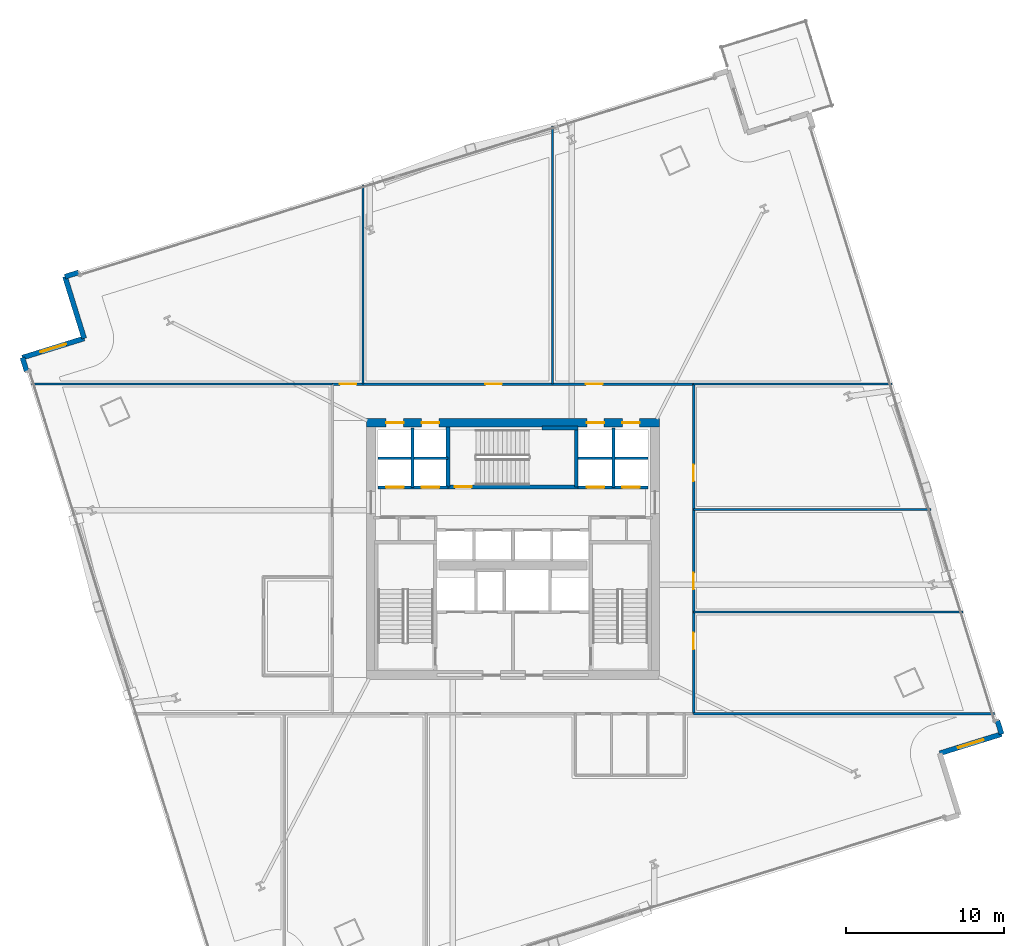
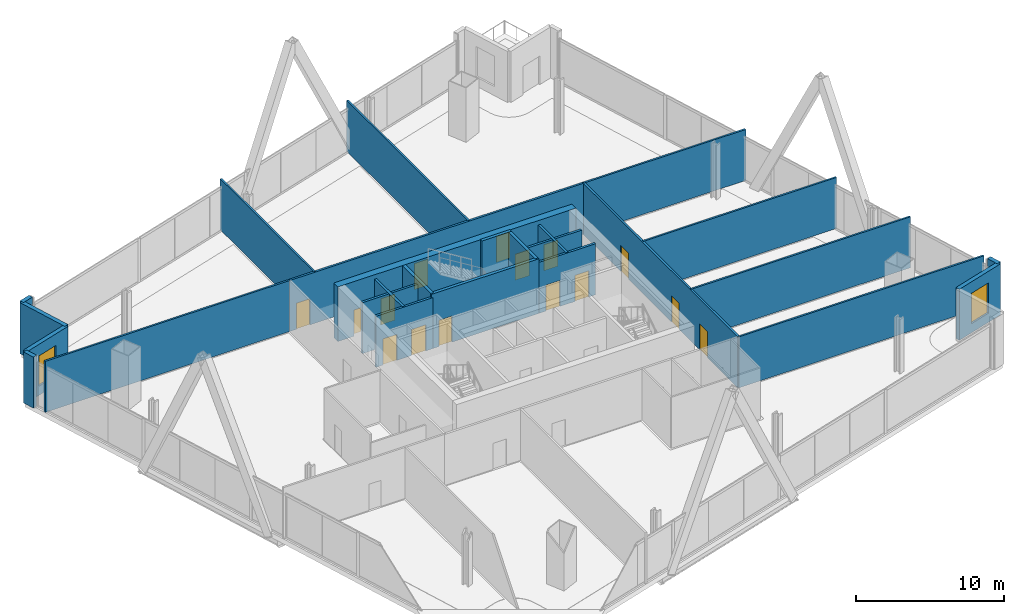
# One storey, part 18 of 26: 26 walls, 15 doors, 2 windows, 17 openings.
"""IFC4 building model written with IfcOpenShell, lengths in metres."""

from ifc_helpers import new_model, si_unit, direction, frame, frame_2d, origin, place, context, subcontext, project, spatial, rectangle, extrude, material, layer, layer_set, type_object, element, fill, save


model = new_model("IFC4")

# Units and contexts
model_context = context("Model", 3, precision=1e-05, world=origin(), true_north=direction((0.0, 1.0)))
body_context = subcontext(model_context, "Body", "Model", "MODEL_VIEW")
ifc_project = project(units=[si_unit("LENGTHUNIT", "METRE"), si_unit("AREAUNIT", "SQUARE_METRE"), si_unit("VOLUMEUNIT", "CUBIC_METRE"), si_unit("PLANEANGLEUNIT", "RADIAN"), si_unit("MASSUNIT", "GRAM", prefix="KILO")], contexts=[model_context])

# Site, building, storey
site_placement = place(None, origin())
site = spatial("IfcSite", under=ifc_project, at=site_placement, CompositionType="ELEMENT")
building_placement = place(site_placement, origin())
building = spatial("IfcBuilding", under=site, at=building_placement, Name="Haldenkirk Collegiate Tower", CompositionType="ELEMENT")
storey_placement = place(building_placement, frame((0.0, 0.0, 85.949951171875)))
storey = spatial("IfcBuildingStorey", under=building, at=storey_placement, Name="L20", CompositionType="ELEMENT", Elevation=85.949951171875)

# Wall, openings, doors
ifc_material_1 = material(Name="Concrete f'c 70 MPa", Category="concrete")
ifc_layer_1 = layer(ifc_material_1, 0.550048828125)
ifc_layer_set_1 = layer_set([ifc_layer_1], Name="Concrete f'c 70 MPa")
wall_type_1 = type_object("IfcWallType", Name="WL-CORE-550", PredefinedType="SHEAR", material=ifc_layer_set_1)
wall_1_placement = place(storey_placement, frame((26.72509765625, 34.0, 0.0), z_axis=(0.0, 0.0, 1.0), x_axis=(1.0, 0.0, 0.0)))
wall_1 = element("IfcWall", 1, at=wall_1_placement, inside=storey, type_object=wall_type_1, Name="L20 central core shear wall N", PredefinedType="SHEAR", context=body_context, shape_type="SweptSolid", body=[
    extrude(rectangle(XDim=18.5498046875, YDim=0.550048828125, at=frame_2d((9.27490234375, 0.0))), origin(), (0.0, 0.0, 1.0), 4.5),
])
opening_1_placement = place(wall_1_placement, frame((1.239990234375, 0.0, 0.0)))
opening_1 = element("IfcOpeningElement", 2, at=opening_1_placement, cuts=wall_1, Name="Opening LD-11", PredefinedType="OPENING", context=body_context, shape_type="SweptSolid", body=[
    extrude(rectangle(XDim=1.10009765625, YDim=2.14990234375, at=frame_2d((0.550048828125, 1.074951171875))), frame((0.0, 0.284912109375, 0.0), z_axis=(0.0, -1.0, 0.0), x_axis=(1.0, 0.0, 0.0)), (0.0, 0.0, 1.0), 0.570068359375),
])
opening_2_placement = place(wall_1_placement, frame((3.489990234375, 0.0, 0.0)))
opening_2 = element("IfcOpeningElement", 3, at=opening_2_placement, cuts=wall_1, Name="Opening LD-11", PredefinedType="OPENING", context=body_context, shape_type="SweptSolid", body=[
    extrude(rectangle(XDim=1.10009765625, YDim=2.14990234375, at=frame_2d((0.550048828125, 1.074951171875))), frame((0.0, 0.284912109375, 0.0), z_axis=(0.0, -1.0, 0.0), x_axis=(1.0, 0.0, 0.0)), (0.0, 0.0, 1.0), 0.570068359375),
])
opening_3_placement = place(wall_1_placement, frame((13.9599609375, 0.0, 0.0)))
opening_3 = element("IfcOpeningElement", 4, at=opening_3_placement, cuts=wall_1, Name="Opening LD-11", PredefinedType="OPENING", context=body_context, shape_type="SweptSolid", body=[
    extrude(rectangle(XDim=1.10009765625, YDim=2.14990234375, at=frame_2d((0.550048828125, 1.074951171875))), frame((0.0, 0.284912109375, 0.0), z_axis=(0.0, -1.0, 0.0), x_axis=(1.0, 0.0, 0.0)), (0.0, 0.0, 1.0), 0.570068359375),
])
opening_4_placement = place(wall_1_placement, frame((16.2099609375, 0.0, 0.0)))
opening_4 = element("IfcOpeningElement", 5, at=opening_4_placement, cuts=wall_1, Name="Opening LD-11", PredefinedType="OPENING", context=body_context, shape_type="SweptSolid", body=[
    extrude(rectangle(XDim=1.10009765625, YDim=2.14990234375, at=frame_2d((0.550048828125, 1.074951171875))), frame((0.0, 0.284912109375, 0.0), z_axis=(0.0, -1.0, 0.0), x_axis=(1.0, 0.0, 0.0)), (0.0, 0.0, 1.0), 0.570068359375),
])
ifc_material_2 = material(Name="Brushed architectural stainless steel", Category="steel")
ifc_layer_2 = layer(ifc_material_2, 0.06005859375)
ifc_layer_set_2 = layer_set([ifc_layer_2], Name="Brushed architectural stainless steel")
door_type_1 = type_object("IfcDoorType", Name="LD-PASS-1100", OperationType="NOTDEFINED", PredefinedType="DOOR", material=ifc_layer_set_2)
door_1_placement = place(opening_1_placement, origin())
door_1 = element("IfcDoor", 6, at=door_1_placement, inside=storey, type_object=door_type_1, Name="L20 Elevator PL3 sliding landing door", OperationType="SLIDING_TO_LEFT", OverallHeight=2.14990234375, OverallWidth=1.10009765625, PredefinedType="DOOR", context=body_context, shape_type="SweptSolid", body=[
    extrude(rectangle(XDim=1.10009765625, YDim=2.14990234375, at=frame_2d((0.550048828125, 1.074951171875))), frame((0.0, 0.02490234375, 0.0), z_axis=(0.0, -1.0, 0.0), x_axis=(1.0, 0.0, 0.0)), (0.0, 0.0, 1.0), 0.050048828125),
])
fill(opening_1, door_1)
door_2_placement = place(opening_2_placement, origin())
door_2 = element("IfcDoor", 7, at=door_2_placement, inside=storey, type_object=door_type_1, Name="L20 Elevator PL4 sliding landing door", OperationType="SLIDING_TO_LEFT", OverallHeight=2.14990234375, OverallWidth=1.10009765625, PredefinedType="DOOR", context=body_context, shape_type="SweptSolid", body=[
    extrude(rectangle(XDim=1.10009765625, YDim=2.14990234375, at=frame_2d((0.550048828125, 1.074951171875))), frame((0.0, 0.02490234375, 0.0), z_axis=(0.0, -1.0, 0.0), x_axis=(1.0, 0.0, 0.0)), (0.0, 0.0, 1.0), 0.050048828125),
])
fill(opening_2, door_2)
door_3_placement = place(opening_3_placement, origin())
door_3 = element("IfcDoor", 8, at=door_3_placement, inside=storey, type_object=door_type_1, Name="L20 Elevator PM3 sliding landing door", OperationType="SLIDING_TO_LEFT", OverallHeight=2.14990234375, OverallWidth=1.10009765625, PredefinedType="DOOR", context=body_context, shape_type="SweptSolid", body=[
    extrude(rectangle(XDim=1.10009765625, YDim=2.14990234375, at=frame_2d((0.550048828125, 1.074951171875))), frame((0.0, 0.02490234375, 0.0), z_axis=(0.0, -1.0, 0.0), x_axis=(1.0, 0.0, 0.0)), (0.0, 0.0, 1.0), 0.050048828125),
])
fill(opening_3, door_3)
door_4_placement = place(opening_4_placement, origin())
door_4 = element("IfcDoor", 9, at=door_4_placement, inside=storey, type_object=door_type_1, Name="L20 Elevator PM4 sliding landing door", OperationType="SLIDING_TO_LEFT", OverallHeight=2.14990234375, OverallWidth=1.10009765625, PredefinedType="DOOR", context=body_context, shape_type="SweptSolid", body=[
    extrude(rectangle(XDim=1.10009765625, YDim=2.14990234375, at=frame_2d((0.550048828125, 1.074951171875))), frame((0.0, 0.02490234375, 0.0), z_axis=(0.0, -1.0, 0.0), x_axis=(1.0, 0.0, 0.0)), (0.0, 0.0, 1.0), 0.050048828125),
])
fill(opening_4, door_4)

# Wall, opening, window
ifc_material_3 = material(Name="Precast concrete f'c 40 MPa", Category="concrete")
ifc_layer_3 = layer(ifc_material_3, 0.320068359375)
ifc_layer_set_3 = layer_set([ifc_layer_3], Name="Precast concrete f'c 40 MPa")
wall_type_2 = type_object("IfcWallType", Name="WL-EXT-TWR-320", PredefinedType="STANDARD", material=ifc_layer_set_3)
wall_2_placement = place(storey_placement, frame((66.9755859375, 14.25732421875, 0.0), z_axis=(0.0, 0.0, 1.0), x_axis=(-0.955024023145, -0.296528439134, 0.0)))
wall_2 = element("IfcWall", 10, at=wall_2_placement, inside=storey, type_object=wall_type_2, Name="L20 bronze precast notch wall 03", PredefinedType="STANDARD", context=body_context, shape_type="SweptSolid", body=[
    extrude(rectangle(XDim=4.10009765625, YDim=0.320068359375, at=frame_2d((2.050048828125, 0.0))), origin(), (0.0, 0.0, 1.0), 4.199951171875),
])
opening_5_placement = place(wall_2_placement, frame((1.199951171875, 0.0, 0.75)))
opening_5 = element("IfcOpeningElement", 11, at=opening_5_placement, cuts=wall_2, Name="Opening W-09", PredefinedType="OPENING", context=body_context, shape_type="SweptSolid", body=[
    extrude(rectangle(XDim=1.699951171875, YDim=2.5, at=frame_2d((0.85009765625, 1.25))), frame((0.0, 0.169921875, 0.0), z_axis=(0.0, -1.0, 0.0), x_axis=(1.0, 0.0, 0.0)), (0.0, 0.0, 1.0), 0.340087890625),
])
ifc_material_4 = material(Name="Low-E argon triple insulating glass", Category="glass")
ifc_layer_4 = layer(ifc_material_4, 0.090087890625)
ifc_layer_set_4 = layer_set([ifc_layer_4], Name="Low-E argon triple insulating glass")
window_type = type_object("IfcWindowType", Name="WN-SG-1700X2500", PartitioningType="SINGLE_PANEL", PredefinedType="WINDOW", material=ifc_layer_set_4)
window_1_placement = place(opening_5_placement, origin())
window_1 = element("IfcWindow", 12, at=window_1_placement, inside=storey, type_object=window_type, Name="L20 precast-frame academic window 2", OverallHeight=2.5, OverallWidth=1.699951171875, PartitioningType="SINGLE_PANEL", PredefinedType="WINDOW", context=body_context, shape_type="SweptSolid", body=[
    extrude(rectangle(XDim=1.699951171875, YDim=2.5, at=frame_2d((0.85009765625, 1.25))), frame((0.0, 0.030029296875, 0.0), z_axis=(0.0, -1.0, 0.0), x_axis=(1.0, 0.0, 0.0)), (0.0, 0.0, 1.0), 0.06005859375),
])
fill(opening_5, window_1)

# Walls
for number, where, z_axis, x_axis, name in (
    (13, (66.70849609375, 15.11669921875, 0.0), (0.0, 0.0, 1.0), (0.296791707634, -0.954942240285, 0.0), "L20 precast corner pier ER"),
    (14, (7.605712890625, 43.256103515625, 0.0), (0.0, 0.0, 1.0), (0.955019103262, 0.296544284053, 0.0), "L20 precast corner pier NL"),
):
    element("IfcWall", number, at=place(storey_placement, frame(where, z_axis=z_axis, x_axis=x_axis)), inside=storey, type_object=wall_type_2, Name=name, PredefinedType="STANDARD", context=body_context, shape_type="SweptSolid", body=[
        extrude(rectangle(XDim=0.89990234375, YDim=0.320068359375, at=frame_2d((0.449951171875, 0.0))), origin(), (0.0, 0.0, 1.0), 4.199951171875),
    ])
wall_3_placement = place(storey_placement, frame((8.821533203125, 39.340576171875, 0.0), z_axis=(0.0, 0.0, 1.0), x_axis=(-0.296545302379, 0.95501878706, 0.0)))
element("IfcWall", 15, at=wall_3_placement, inside=storey, type_object=wall_type_2, Name="L20 bronze precast notch wall 08", PredefinedType="STANDARD", context=body_context, shape_type="SweptSolid", body=[
    extrude(rectangle(XDim=4.099853515625, YDim=0.320068359375, at=frame_2d((2.0498046875, 0.0))), origin(), (0.0, 0.0, 1.0), 4.199951171875),
])

# Wall, opening, window
wall_4_placement = place(storey_placement, frame((4.906005859375, 38.124755859375, 0.0), z_axis=(0.0, 0.0, 1.0), x_axis=(0.95501878706, 0.296545302379, 0.0)))
wall_4 = element("IfcWall", 16, at=wall_4_placement, inside=storey, type_object=wall_type_2, Name="L20 bronze precast notch wall 09", PredefinedType="STANDARD", context=body_context, shape_type="SweptSolid", body=[
    extrude(rectangle(XDim=4.099853515625, YDim=0.320068359375, at=frame_2d((2.0498046875, 0.0))), origin(), (0.0, 0.0, 1.0), 4.199951171875),
])
opening_6_placement = place(wall_4_placement, frame((1.199951171875, 0.0, 0.75)))
opening_6 = element("IfcOpeningElement", 17, at=opening_6_placement, cuts=wall_4, Name="Opening W-09", PredefinedType="OPENING", context=body_context, shape_type="SweptSolid", body=[
    extrude(rectangle(XDim=1.699951171875, YDim=2.5, at=frame_2d((0.85009765625, 1.25))), frame((0.0, 0.169921875, 0.0), z_axis=(0.0, -1.0, 0.0), x_axis=(1.0, 0.0, 0.0)), (0.0, 0.0, 1.0), 0.340087890625),
])
window_2_placement = place(opening_6_placement, origin())
window_2 = element("IfcWindow", 18, at=window_2_placement, inside=storey, type_object=window_type, Name="L20 precast-frame academic window 8", OverallHeight=2.5, OverallWidth=1.699951171875, PartitioningType="SINGLE_PANEL", PredefinedType="WINDOW", context=body_context, shape_type="SweptSolid", body=[
    extrude(rectangle(XDim=1.699951171875, YDim=2.5, at=frame_2d((0.85009765625, 1.25))), frame((0.0, 0.030029296875, 0.0), z_axis=(0.0, -1.0, 0.0), x_axis=(1.0, 0.0, 0.0)), (0.0, 0.0, 1.0), 0.06005859375),
])
fill(opening_6, window_2)

# Wall
wall_5_placement = place(storey_placement, frame((5.1728515625, 37.26513671875, 0.0), z_axis=(0.0, 0.0, 1.0), x_axis=(-0.296467465889, 0.955042952788, 0.0)))
element("IfcWall", 19, at=wall_5_placement, inside=storey, type_object=wall_type_2, Name="L20 precast corner pier WR", PredefinedType="STANDARD", context=body_context, shape_type="SweptSolid", body=[
    extrude(rectangle(XDim=0.900146484375, YDim=0.320068359375, at=frame_2d((0.4501953125, 0.0))), origin(), (0.0, 0.0, 1.0), 4.199951171875),
])

# Wall, openings, doors
ifc_material_5 = material(Name="Acoustic fire-rated gypsum partition", Category="concrete")
ifc_layer_5 = layer(ifc_material_5, 0.159912109375)
ifc_layer_set_5 = layer_set([ifc_layer_5], Name="Acoustic fire-rated gypsum partition")
wall_type_3 = type_object("IfcWallType", Name="WL-INT-CORR-160", PredefinedType="PARTITIONING", material=ifc_layer_set_5)
wall_6_placement = place(storey_placement, frame((24.5, 36.449951171875, 0.0), z_axis=(0.0, 0.0, 1.0), x_axis=(1.0, 0.0, 0.0)))
wall_6 = element("IfcWall", 20, at=wall_6_placement, inside=storey, type_object=wall_type_3, Name="L20 interior partition IW-L20-CN", PredefinedType="PARTITIONING", context=body_context, shape_type="SweptSolid", body=[
    extrude(rectangle(XDim=23.0, YDim=0.159912109375, at=frame_2d((11.5, 0.0))), origin(), (0.0, 0.0, 1.0), 4.199951171875),
])
opening_7_placement = place(wall_6_placement, frame((0.530029296875, 0.0, 0.0)))
opening_7 = element("IfcOpeningElement", 21, at=opening_7_placement, cuts=wall_6, Name="Opening D-09", PredefinedType="OPENING", context=body_context, shape_type="SweptSolid", body=[
    extrude(rectangle(XDim=1.050048828125, YDim=2.14990234375, at=frame_2d((0.52490234375, 1.074951171875))), frame((0.0, 0.08984375, 0.0), z_axis=(0.0, -1.0, 0.0), x_axis=(1.0, 0.0, 0.0)), (0.0, 0.0, 1.0), 0.179931640625),
])
opening_8_placement = place(wall_6_placement, frame((9.7548828125, 0.0, 0.0)))
opening_8 = element("IfcOpeningElement", 22, at=opening_8_placement, cuts=wall_6, Name="Opening D-09", PredefinedType="OPENING", context=body_context, shape_type="SweptSolid", body=[
    extrude(rectangle(XDim=1.050048828125, YDim=2.14990234375, at=frame_2d((0.52490234375, 1.074951171875))), frame((0.0, 0.08984375, 0.0), z_axis=(0.0, -1.0, 0.0), x_axis=(1.0, 0.0, 0.0)), (0.0, 0.0, 1.0), 0.179931640625),
])
opening_9_placement = place(wall_6_placement, frame((16.12890625, 0.0, 0.0)))
opening_9 = element("IfcOpeningElement", 23, at=opening_9_placement, cuts=wall_6, Name="Opening D-09", PredefinedType="OPENING", context=body_context, shape_type="SweptSolid", body=[
    extrude(rectangle(XDim=1.050048828125, YDim=2.14990234375, at=frame_2d((0.52490234375, 1.074951171875))), frame((0.0, 0.08984375, 0.0), z_axis=(0.0, -1.0, 0.0), x_axis=(1.0, 0.0, 0.0)), (0.0, 0.0, 1.0), 0.179931640625),
])
ifc_material_6 = material(Name="Solid-core architectural oak fire door", Category="wood")
ifc_layer_6 = layer(ifc_material_6, 0.06005859375)
ifc_layer_set_6 = layer_set([ifc_layer_6], Name="Solid-core architectural oak fire door")
door_type_2 = type_object("IfcDoorType", Name="DR-INT-FD60-1050", OperationType="NOTDEFINED", PredefinedType="DOOR", material=ifc_layer_set_6)
door_5_placement = place(opening_7_placement, origin())
door_5 = element("IfcDoor", 24, at=door_5_placement, inside=storey, type_object=door_type_2, Name="L20 Occupational Health Clinic 4 door", OperationType="SINGLE_SWING_RIGHT", OverallHeight=2.14990234375, OverallWidth=1.050048828125, PredefinedType="DOOR", context=body_context, shape_type="SweptSolid", body=[
    extrude(rectangle(XDim=1.050048828125, YDim=2.14990234375, at=frame_2d((0.52490234375, 1.074951171875))), frame((0.0, 0.02490234375, 0.0), z_axis=(0.0, -1.0, 0.0), x_axis=(1.0, 0.0, 0.0)), (0.0, 0.0, 1.0), 0.050048828125),
])
fill(opening_7, door_5)
door_6_placement = place(opening_8_placement, origin())
door_6 = element("IfcDoor", 25, at=door_6_placement, inside=storey, type_object=door_type_2, Name="L20 Acoustics Testing Laboratory 5 door", OperationType="SINGLE_SWING_LEFT", OverallHeight=2.14990234375, OverallWidth=1.050048828125, PredefinedType="DOOR", context=body_context, shape_type="SweptSolid", body=[
    extrude(rectangle(XDim=1.050048828125, YDim=2.14990234375, at=frame_2d((0.52490234375, 1.074951171875))), frame((0.0, 0.02490234375, 0.0), z_axis=(0.0, -1.0, 0.0), x_axis=(1.0, 0.0, 0.0)), (0.0, 0.0, 1.0), 0.050048828125),
])
fill(opening_8, door_6)
door_7_placement = place(opening_9_placement, origin())
door_7 = element("IfcDoor", 26, at=door_7_placement, inside=storey, type_object=door_type_2, Name="L20 Environmental Lab 6 door", OperationType="SINGLE_SWING_RIGHT", OverallHeight=2.14990234375, OverallWidth=1.050048828125, PredefinedType="DOOR", context=body_context, shape_type="SweptSolid", body=[
    extrude(rectangle(XDim=1.050048828125, YDim=2.14990234375, at=frame_2d((0.52490234375, 1.074951171875))), frame((0.0, 0.02490234375, 0.0), z_axis=(0.0, -1.0, 0.0), x_axis=(1.0, 0.0, 0.0)), (0.0, 0.0, 1.0), 0.050048828125),
])
fill(opening_9, door_7)

wall_7_placement = place(storey_placement, frame((47.449951171875, 15.550048828125, 0.0), z_axis=(0.0, 0.0, 1.0), x_axis=(0.0, 1.0, 0.0)))
wall_7 = element("IfcWall", 27, at=wall_7_placement, inside=storey, type_object=wall_type_3, Name="L20 interior partition IW-L20-CE", PredefinedType="PARTITIONING", context=body_context, shape_type="SweptSolid", body=[
    extrude(rectangle(XDim=20.89990234375, YDim=0.159912109375, at=frame_2d((10.449951171875, 0.0))), origin(), (0.0, 0.0, 1.0), 4.199951171875),
])
opening_10_placement = place(wall_7_placement, frame((4.0869140625, 0.0, 0.0)))
opening_10 = element("IfcOpeningElement", 28, at=opening_10_placement, cuts=wall_7, Name="Opening D-09", PredefinedType="OPENING", context=body_context, shape_type="SweptSolid", body=[
    extrude(rectangle(XDim=1.050048828125, YDim=2.14990234375, at=frame_2d((0.52490234375, 1.074951171875))), frame((0.0, 0.08984375, 0.0), z_axis=(0.0, -1.0, 0.0), x_axis=(1.0, 0.0, 0.0)), (0.0, 0.0, 1.0), 0.179931640625),
])
opening_11_placement = place(wall_7_placement, frame((7.885009765625, 0.0, 0.0)))
opening_11 = element("IfcOpeningElement", 29, at=opening_11_placement, cuts=wall_7, Name="Opening D-09", PredefinedType="OPENING", context=body_context, shape_type="SweptSolid", body=[
    extrude(rectangle(XDim=1.050048828125, YDim=2.14990234375, at=frame_2d((0.52490234375, 1.074951171875))), frame((0.0, 0.08984375, 0.0), z_axis=(0.0, -1.0, 0.0), x_axis=(1.0, 0.0, 0.0)), (0.0, 0.0, 1.0), 0.179931640625),
])
opening_12_placement = place(wall_7_placement, frame((14.742919921875, 0.0, 0.0)))
opening_12 = element("IfcOpeningElement", 30, at=opening_12_placement, cuts=wall_7, Name="Opening D-09", PredefinedType="OPENING", context=body_context, shape_type="SweptSolid", body=[
    extrude(rectangle(XDim=1.050048828125, YDim=2.14990234375, at=frame_2d((0.52490234375, 1.074951171875))), frame((0.0, 0.08984375, 0.0), z_axis=(0.0, -1.0, 0.0), x_axis=(1.0, 0.0, 0.0)), (0.0, 0.0, 1.0), 0.179931640625),
])
door_8_placement = place(opening_10_placement, origin())
door_8 = element("IfcDoor", 31, at=door_8_placement, inside=storey, type_object=door_type_2, Name="L20 Academic Counseling Clinic 8 door", OperationType="SINGLE_SWING_RIGHT", OverallHeight=2.14990234375, OverallWidth=1.050048828125, PredefinedType="DOOR", context=body_context, shape_type="SweptSolid", body=[
    extrude(rectangle(XDim=1.050048828125, YDim=2.14990234375, at=frame_2d((0.52490234375, 1.074951171875))), frame((0.0, 0.02490234375, 0.0), z_axis=(0.0, -1.0, 0.0), x_axis=(1.0, 0.0, 0.0)), (0.0, 0.0, 1.0), 0.050048828125),
])
fill(opening_10, door_8)
door_9_placement = place(opening_11_placement, origin())
door_9 = element("IfcDoor", 32, at=door_9_placement, inside=storey, type_object=door_type_2, Name="L20 Ergonomics Clinic 9 door", OperationType="SINGLE_SWING_LEFT", OverallHeight=2.14990234375, OverallWidth=1.050048828125, PredefinedType="DOOR", context=body_context, shape_type="SweptSolid", body=[
    extrude(rectangle(XDim=1.050048828125, YDim=2.14990234375, at=frame_2d((0.52490234375, 1.074951171875))), frame((0.0, 0.02490234375, 0.0), z_axis=(0.0, -1.0, 0.0), x_axis=(1.0, 0.0, 0.0)), (0.0, 0.0, 1.0), 0.050048828125),
])
fill(opening_11, door_9)
door_10_placement = place(opening_12_placement, origin())
door_10 = element("IfcDoor", 33, at=door_10_placement, inside=storey, type_object=door_type_2, Name="L20 Occupational Health Clinic 10 door", OperationType="SINGLE_SWING_RIGHT", OverallHeight=2.14990234375, OverallWidth=1.050048828125, PredefinedType="DOOR", context=body_context, shape_type="SweptSolid", body=[
    extrude(rectangle(XDim=1.050048828125, YDim=2.14990234375, at=frame_2d((0.52490234375, 1.074951171875))), frame((0.0, 0.02490234375, 0.0), z_axis=(0.0, -1.0, 0.0), x_axis=(1.0, 0.0, 0.0)), (0.0, 0.0, 1.0), 0.050048828125),
])
fill(opening_12, door_10)

# Walls
ifc_layer_7 = layer(ifc_material_5, 0.139892578125)
ifc_layer_set_7 = layer_set([ifc_layer_7], Name="Acoustic fire-rated gypsum partition")
wall_type_4 = type_object("IfcWallType", Name="WL-INT-DIV-140", PredefinedType="PARTITIONING", material=ifc_layer_set_7)
for number, where, z_axis, x_axis, name in (
    (34, (5.4677734375, 36.449951171875, 0.0), (0.0, 0.0, 1.0), (1.0, 0.0, 0.0), "L20 interior partition IW-L20-BWN"),
    (35, (47.449951171875, 15.550048828125, 0.0), (0.0, 0.0, 1.0), (1.0, 0.0, 0.0), "L20 interior partition IW-L20-BES"),
):
    element("IfcWall", number, at=place(storey_placement, frame(where, z_axis=z_axis, x_axis=x_axis)), inside=storey, type_object=wall_type_4, Name=name, PredefinedType="PARTITIONING", context=body_context, shape_type="SweptSolid", body=[
        extrude(rectangle(XDim=19.082275390625, YDim=0.139892578125, at=frame_2d((9.541015625, 0.0))), origin(), (0.0, 0.0, 1.0), 4.199951171875),
    ])
wall_8_placement = place(storey_placement, frame((47.449951171875, 36.449951171875, 0.0), z_axis=(0.0, 0.0, 1.0), x_axis=(1.0, 0.0, 0.0)))
element("IfcWall", 36, at=wall_8_placement, inside=storey, type_object=wall_type_4, Name="L20 interior partition IW-L20-BEN", PredefinedType="PARTITIONING", context=body_context, shape_type="SweptSolid", body=[
    extrude(rectangle(XDim=12.592529296875, YDim=0.139892578125, at=frame_2d((6.29638671875, 0.0))), origin(), (0.0, 0.0, 1.0), 4.199951171875),
])
wall_9_placement = place(storey_placement, frame((26.5, 36.449951171875, 0.0), z_axis=(0.0, 0.0, 1.0), x_axis=(0.0, 1.0, 0.0)))
element("IfcWall", 37, at=wall_9_placement, inside=storey, type_object=wall_type_4, Name="L20 interior partition IW-L20-RN1", PredefinedType="PARTITIONING", context=body_context, shape_type="SweptSolid", body=[
    extrude(rectangle(XDim=12.631103515625, YDim=0.139892578125, at=frame_2d((6.3154296875, 0.0))), origin(), (0.0, 0.0, 1.0), 4.199951171875),
])
wall_10_placement = place(storey_placement, frame((38.5, 36.449951171875, 0.0), z_axis=(0.0, 0.0, 1.0), x_axis=(0.0, 1.0, 0.0)))
element("IfcWall", 38, at=wall_10_placement, inside=storey, type_object=wall_type_4, Name="L20 interior partition IW-L20-RN2", PredefinedType="PARTITIONING", context=body_context, shape_type="SweptSolid", body=[
    extrude(rectangle(XDim=16.357177734375, YDim=0.139892578125, at=frame_2d((8.1787109375, 0.0))), origin(), (0.0, 0.0, 1.0), 4.199951171875),
])
wall_11_placement = place(storey_placement, frame((47.449951171875, 22.0, 0.0), z_axis=(0.0, 0.0, 1.0), x_axis=(1.0, 0.0, 0.0)))
element("IfcWall", 39, at=wall_11_placement, inside=storey, type_object=wall_type_4, Name="L20 interior partition IW-L20-RE1", PredefinedType="PARTITIONING", context=body_context, shape_type="SweptSolid", body=[
    extrude(rectangle(XDim=17.079345703125, YDim=0.139892578125, at=frame_2d((8.53955078125, 0.0))), origin(), (0.0, 0.0, 1.0), 4.199951171875),
])
wall_12_placement = place(storey_placement, frame((47.449951171875, 28.5, 0.0), z_axis=(0.0, 0.0, 1.0), x_axis=(1.0, 0.0, 0.0)))
element("IfcWall", 40, at=wall_12_placement, inside=storey, type_object=wall_type_4, Name="L20 interior partition IW-L20-RE2", PredefinedType="PARTITIONING", context=body_context, shape_type="SweptSolid", body=[
    extrude(rectangle(XDim=15.06103515625, YDim=0.139892578125, at=frame_2d((7.530517578125, 0.0))), origin(), (0.0, 0.0, 1.0), 4.199951171875),
])

# Wall, openings, doors
ifc_material_7 = material(Name="Fire-rated gypsum shaftboard assembly", Category="concrete")
ifc_layer_8 = layer(ifc_material_7, 0.179931640625)
ifc_layer_set_8 = layer_set([ifc_layer_8], Name="Fire-rated gypsum shaftboard assembly")
wall_type_5 = type_object("IfcWallType", Name="WL-INT-SHAFT-180", PredefinedType="PARTITIONING", material=ifc_layer_set_8)
wall_13_placement = place(storey_placement, frame((27.449951171875, 29.89990234375, 0.0), z_axis=(0.0, 0.0, 1.0), x_axis=(1.0, 0.0, 0.0)))
wall_13 = element("IfcWall", 41, at=wall_13_placement, inside=storey, type_object=wall_type_5, Name="L20 interior partition IW-L20-PLS", PredefinedType="PARTITIONING", context=body_context, shape_type="SweptSolid", body=[
    extrude(rectangle(XDim=4.429931640625, YDim=0.179931640625, at=frame_2d((2.21484375, 0.0))), origin(), (0.0, 0.0, 1.0), 4.199951171875),
])
opening_13_placement = place(wall_13_placement, frame((0.514892578125, 0.0, 0.0)))
opening_13 = element("IfcOpeningElement", 42, at=opening_13_placement, cuts=wall_13, Name="Opening LD-11", PredefinedType="OPENING", context=body_context, shape_type="SweptSolid", body=[
    extrude(rectangle(XDim=1.10009765625, YDim=2.14990234375, at=frame_2d((0.550048828125, 1.074951171875))), frame((0.0, 0.099853515625, 0.0), z_axis=(0.0, -1.0, 0.0), x_axis=(1.0, 0.0, 0.0)), (0.0, 0.0, 1.0), 0.199951171875),
])
opening_14_placement = place(wall_13_placement, frame((2.764892578125, 0.0, 0.0)))
opening_14 = element("IfcOpeningElement", 43, at=opening_14_placement, cuts=wall_13, Name="Opening LD-11", PredefinedType="OPENING", context=body_context, shape_type="SweptSolid", body=[
    extrude(rectangle(XDim=1.10009765625, YDim=2.14990234375, at=frame_2d((0.550048828125, 1.074951171875))), frame((0.0, 0.099853515625, 0.0), z_axis=(0.0, -1.0, 0.0), x_axis=(1.0, 0.0, 0.0)), (0.0, 0.0, 1.0), 0.199951171875),
])
door_11_placement = place(opening_13_placement, origin())
door_11 = element("IfcDoor", 44, at=door_11_placement, inside=storey, type_object=door_type_1, Name="L20 Elevator PL1 sliding landing door", OperationType="SLIDING_TO_LEFT", OverallHeight=2.14990234375, OverallWidth=1.10009765625, PredefinedType="DOOR", context=body_context, shape_type="SweptSolid", body=[
    extrude(rectangle(XDim=1.10009765625, YDim=2.14990234375, at=frame_2d((0.550048828125, 1.074951171875))), frame((0.0, 0.02490234375, 0.0), z_axis=(0.0, -1.0, 0.0), x_axis=(1.0, 0.0, 0.0)), (0.0, 0.0, 1.0), 0.050048828125),
])
fill(opening_13, door_11)
door_12_placement = place(opening_14_placement, origin())
door_12 = element("IfcDoor", 45, at=door_12_placement, inside=storey, type_object=door_type_1, Name="L20 Elevator PL2 sliding landing door", OperationType="SLIDING_TO_LEFT", OverallHeight=2.14990234375, OverallWidth=1.10009765625, PredefinedType="DOOR", context=body_context, shape_type="SweptSolid", body=[
    extrude(rectangle(XDim=1.10009765625, YDim=2.14990234375, at=frame_2d((0.550048828125, 1.074951171875))), frame((0.0, 0.02490234375, 0.0), z_axis=(0.0, -1.0, 0.0), x_axis=(1.0, 0.0, 0.0)), (0.0, 0.0, 1.0), 0.050048828125),
])
fill(opening_14, door_12)

# Walls
wall_14_placement = place(storey_placement, frame((27.449951171875, 31.75, 0.0), z_axis=(0.0, 0.0, 1.0), x_axis=(1.0, 0.0, 0.0)))
element("IfcWall", 46, at=wall_14_placement, inside=storey, type_object=wall_type_5, Name="L20 interior partition IW-L20-PLM", PredefinedType="PARTITIONING", context=body_context, shape_type="SweptSolid", body=[
    extrude(rectangle(XDim=4.429931640625, YDim=0.179931640625, at=frame_2d((2.21484375, 0.0))), origin(), (0.0, 0.0, 1.0), 4.199951171875),
])
wall_15_placement = place(storey_placement, frame((29.6298828125, 29.89990234375, 0.0), z_axis=(0.0, 0.0, 1.0), x_axis=(0.0, 1.0, 0.0)))
element("IfcWall", 47, at=wall_15_placement, inside=storey, type_object=wall_type_5, Name="L20 interior partition IW-L20-PLV", PredefinedType="PARTITIONING", context=body_context, shape_type="SweptSolid", body=[
    extrude(rectangle(XDim=3.75, YDim=0.179931640625, at=frame_2d((1.875, 0.0))), origin(), (0.0, 0.0, 1.0), 4.199951171875),
])

# Wall, openings, doors
wall_16_placement = place(storey_placement, frame((40.1201171875, 29.89990234375, 0.0), z_axis=(0.0, 0.0, 1.0), x_axis=(1.0, 0.0, 0.0)))
wall_16 = element("IfcWall", 48, at=wall_16_placement, inside=storey, type_object=wall_type_5, Name="L20 interior partition IW-L20-PMS", PredefinedType="PARTITIONING", context=body_context, shape_type="SweptSolid", body=[
    extrude(rectangle(XDim=4.429931640625, YDim=0.179931640625, at=frame_2d((2.21484375, 0.0))), origin(), (0.0, 0.0, 1.0), 4.199951171875),
])
opening_15_placement = place(wall_16_placement, frame((0.56494140625, 0.0, 0.0)))
opening_15 = element("IfcOpeningElement", 49, at=opening_15_placement, cuts=wall_16, Name="Opening LD-11", PredefinedType="OPENING", context=body_context, shape_type="SweptSolid", body=[
    extrude(rectangle(XDim=1.10009765625, YDim=2.14990234375, at=frame_2d((0.550048828125, 1.074951171875))), frame((0.0, 0.099853515625, 0.0), z_axis=(0.0, -1.0, 0.0), x_axis=(1.0, 0.0, 0.0)), (0.0, 0.0, 1.0), 0.199951171875),
])
opening_16_placement = place(wall_16_placement, frame((2.81494140625, 0.0, 0.0)))
opening_16 = element("IfcOpeningElement", 50, at=opening_16_placement, cuts=wall_16, Name="Opening LD-11", PredefinedType="OPENING", context=body_context, shape_type="SweptSolid", body=[
    extrude(rectangle(XDim=1.10009765625, YDim=2.14990234375, at=frame_2d((0.550048828125, 1.074951171875))), frame((0.0, 0.099853515625, 0.0), z_axis=(0.0, -1.0, 0.0), x_axis=(1.0, 0.0, 0.0)), (0.0, 0.0, 1.0), 0.199951171875),
])
door_13_placement = place(opening_15_placement, origin())
door_13 = element("IfcDoor", 51, at=door_13_placement, inside=storey, type_object=door_type_1, Name="L20 Elevator PM1 sliding landing door", OperationType="SLIDING_TO_LEFT", OverallHeight=2.14990234375, OverallWidth=1.10009765625, PredefinedType="DOOR", context=body_context, shape_type="SweptSolid", body=[
    extrude(rectangle(XDim=1.10009765625, YDim=2.14990234375, at=frame_2d((0.550048828125, 1.074951171875))), frame((0.0, 0.02490234375, 0.0), z_axis=(0.0, -1.0, 0.0), x_axis=(1.0, 0.0, 0.0)), (0.0, 0.0, 1.0), 0.050048828125),
])
fill(opening_15, door_13)
door_14_placement = place(opening_16_placement, origin())
door_14 = element("IfcDoor", 52, at=door_14_placement, inside=storey, type_object=door_type_1, Name="L20 Elevator PM2 sliding landing door", OperationType="SLIDING_TO_LEFT", OverallHeight=2.14990234375, OverallWidth=1.10009765625, PredefinedType="DOOR", context=body_context, shape_type="SweptSolid", body=[
    extrude(rectangle(XDim=1.10009765625, YDim=2.14990234375, at=frame_2d((0.550048828125, 1.074951171875))), frame((0.0, 0.02490234375, 0.0), z_axis=(0.0, -1.0, 0.0), x_axis=(1.0, 0.0, 0.0)), (0.0, 0.0, 1.0), 0.050048828125),
])
fill(opening_16, door_14)

# Walls
wall_17_placement = place(storey_placement, frame((40.1201171875, 31.75, 0.0), z_axis=(0.0, 0.0, 1.0), x_axis=(1.0, 0.0, 0.0)))
element("IfcWall", 53, at=wall_17_placement, inside=storey, type_object=wall_type_5, Name="L20 interior partition IW-L20-PMM", PredefinedType="PARTITIONING", context=body_context, shape_type="SweptSolid", body=[
    extrude(rectangle(XDim=4.429931640625, YDim=0.179931640625, at=frame_2d((2.21484375, 0.0))), origin(), (0.0, 0.0, 1.0), 4.199951171875),
])
wall_18_placement = place(storey_placement, frame((42.3701171875, 29.89990234375, 0.0), z_axis=(0.0, 0.0, 1.0), x_axis=(0.0, 1.0, 0.0)))
element("IfcWall", 54, at=wall_18_placement, inside=storey, type_object=wall_type_5, Name="L20 interior partition IW-L20-PMV", PredefinedType="PARTITIONING", context=body_context, shape_type="SweptSolid", body=[
    extrude(rectangle(XDim=3.75, YDim=0.179931640625, at=frame_2d((1.875, 0.0))), origin(), (0.0, 0.0, 1.0), 4.199951171875),
])

# Wall, opening, door
ifc_material_8 = material(Name="Concrete f'c 55 MPa", Category="concrete")
ifc_layer_9 = layer(ifc_material_8, 0.239990234375)
ifc_layer_set_9 = layer_set([ifc_layer_9], Name="Concrete f'c 55 MPa")
wall_type_6 = type_object("IfcWallType", Name="WL-SHAFT-240", PredefinedType="SHEAR", material=ifc_layer_set_9)
wall_19_placement = place(storey_placement, frame((31.760009765625, 29.929931640625, 0.0), z_axis=(0.0, 0.0, 1.0), x_axis=(1.0, 0.0, 0.0)))
wall_19 = element("IfcWall", 55, at=wall_19_placement, inside=storey, type_object=wall_type_6, Name="L20 stair shaft shear wall SW-L20-ST3S", PredefinedType="SHEAR", context=body_context, shape_type="SweptSolid", body=[
    extrude(rectangle(XDim=8.3798828125, YDim=0.239990234375, at=frame_2d((4.18994140625, 0.0))), origin(), (0.0, 0.0, 1.0), 4.5),
])
opening_17_placement = place(wall_19_placement, frame((0.56494140625, 0.0, 0.0)))
opening_17 = element("IfcOpeningElement", 56, at=opening_17_placement, cuts=wall_19, Name="Opening D-01", PredefinedType="OPENING", context=body_context, shape_type="SweptSolid", body=[
    extrude(rectangle(XDim=1.050048828125, YDim=2.14990234375, at=frame_2d((0.52490234375, 1.074951171875))), frame((0.0, 0.1298828125, 0.0), z_axis=(0.0, -1.0, 0.0), x_axis=(1.0, 0.0, 0.0)), (0.0, 0.0, 1.0), 0.260009765625),
])
ifc_material_9 = material(Name="Galvanized fire-rated hollow steel door", Category="steel")
ifc_layer_10 = layer(ifc_material_9, 0.06005859375)
ifc_layer_set_10 = layer_set([ifc_layer_10], Name="Galvanized fire-rated hollow steel door")
door_type_3 = type_object("IfcDoorType", Name="DR-STAIR-FD90-1050", OperationType="NOTDEFINED", PredefinedType="DOOR", material=ifc_layer_set_10)
door_15_placement = place(opening_17_placement, origin())
door_15 = element("IfcDoor", 57, at=door_15_placement, inside=storey, type_object=door_type_3, Name="L20 lift lobby Stair 3 door", OperationType="SINGLE_SWING_RIGHT", OverallHeight=2.14990234375, OverallWidth=1.050048828125, PredefinedType="DOOR", context=body_context, shape_type="SweptSolid", body=[
    extrude(rectangle(XDim=1.050048828125, YDim=2.14990234375, at=frame_2d((0.52490234375, 1.074951171875))), frame((0.0, 0.02490234375, 0.0), z_axis=(0.0, -1.0, 0.0), x_axis=(1.0, 0.0, 0.0)), (0.0, 0.0, 1.0), 0.050048828125),
])
fill(opening_17, door_15)

# Walls
wall_20_placement = place(storey_placement, frame((31.8798828125, 29.929931640625, 0.0), z_axis=(0.0, 0.0, 1.0), x_axis=(0.0, 1.0, 0.0)))
element("IfcWall", 58, at=wall_20_placement, inside=storey, type_object=wall_type_6, Name="L20 stair shaft shear wall SW-L20-ST3W", PredefinedType="SHEAR", context=body_context, shape_type="SweptSolid", body=[
    extrude(rectangle(XDim=3.7900390625, YDim=0.239990234375, at=frame_2d((1.89501953125, 0.0))), origin(), (0.0, 0.0, 1.0), 4.5),
])
wall_21_placement = place(storey_placement, frame((40.02001953125, 29.929931640625, 0.0), z_axis=(0.0, 0.0, 1.0), x_axis=(0.0, 1.0, 0.0)))
element("IfcWall", 59, at=wall_21_placement, inside=storey, type_object=wall_type_6, Name="L20 stair shaft shear wall SW-L20-ST3E", PredefinedType="SHEAR", context=body_context, shape_type="SweptSolid", body=[
    extrude(rectangle(XDim=3.85009765625, YDim=0.239990234375, at=frame_2d((1.925048828125, 0.0))), origin(), (0.0, 0.0, 1.0), 4.5),
])
wall_22_placement = place(storey_placement, frame((37.85009765625, 33.659912109375, 0.0), z_axis=(0.0, 0.0, 1.0), x_axis=(1.0, 0.0, 0.0)))
element("IfcWall", 60, at=wall_22_placement, inside=storey, type_object=wall_type_6, Name="L20 stair shaft shear wall SW-L20-ST3N", PredefinedType="SHEAR", context=body_context, shape_type="SweptSolid", body=[
    extrude(rectangle(XDim=2.289794921875, YDim=0.239990234375, at=frame_2d((1.14501953125, 0.0))), origin(), (0.0, 0.0, 1.0), 4.5),
])

save(model, "model.ifc")
